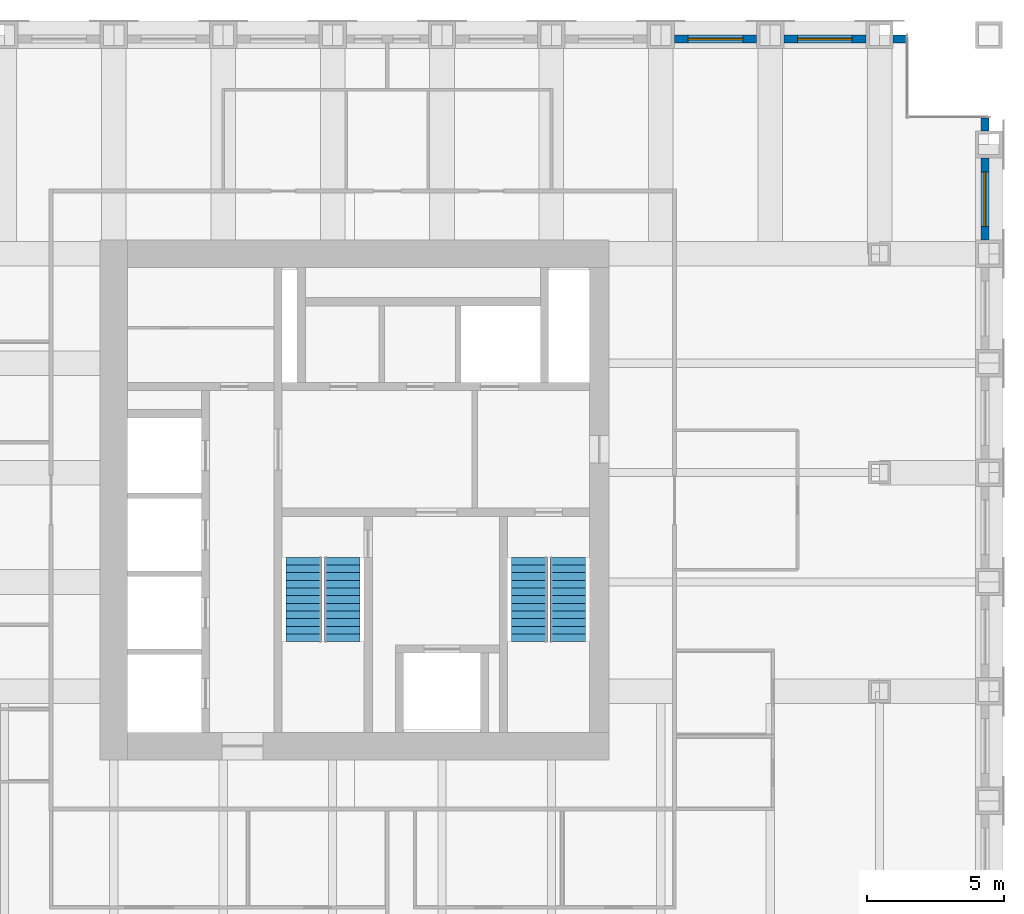
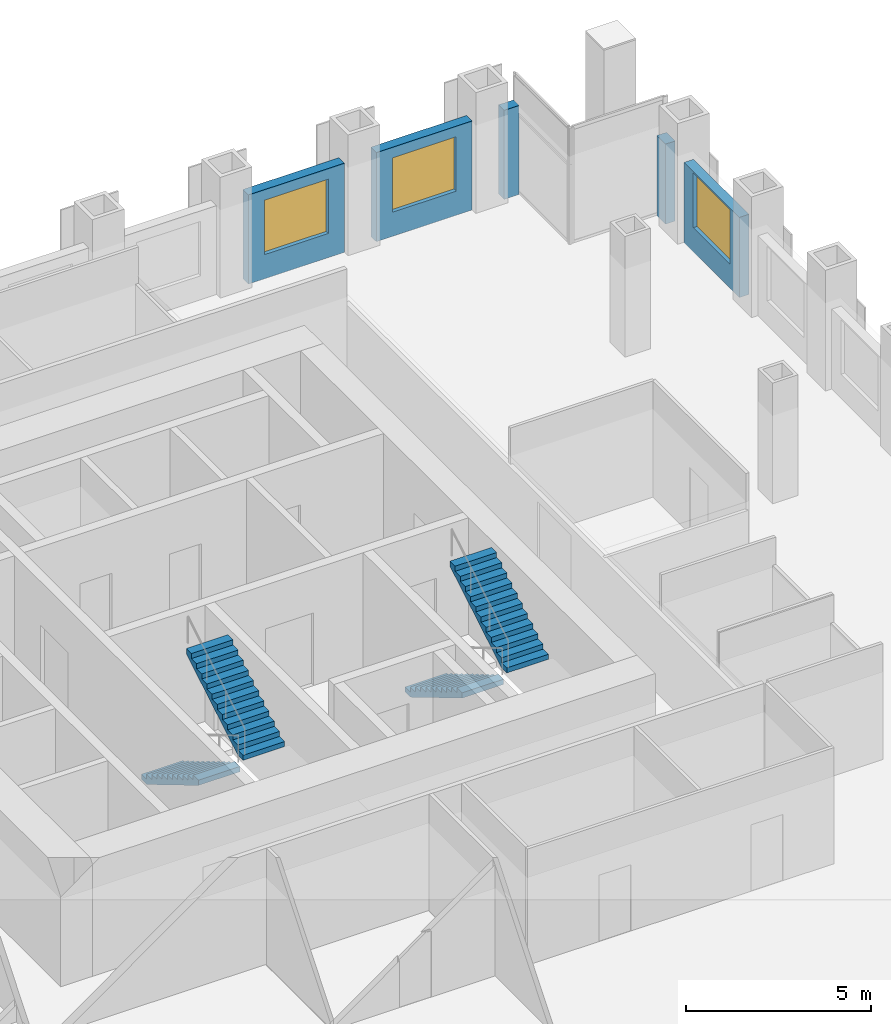
# One storey, part 11 of 12: 5 walls, 4 stair flights, 3 windows, 3 openings, 2 elements without a shape of their own.
"""IFC4 building model written with IfcOpenShell, lengths in metres."""

from ifc_helpers import new_model, si_unit, direction, frame, frame_2d, origin, place, context, subcontext, project, spatial, polyline, rectangle, outline, extrude, material, layer, layer_set, type_object, element, fill, aggregate, save


model = new_model("IFC4")

# Units and contexts
model_context = context("Model", 3, precision=1e-05, world=origin(), true_north=direction((0.0, 1.0)))
body_context = subcontext(model_context, "Body", "Model", "MODEL_VIEW")
ifc_project = project(units=[si_unit("LENGTHUNIT", "METRE"), si_unit("AREAUNIT", "SQUARE_METRE"), si_unit("VOLUMEUNIT", "CUBIC_METRE"), si_unit("PLANEANGLEUNIT", "RADIAN"), si_unit("MASSUNIT", "GRAM", prefix="KILO")], contexts=[model_context])

# Site, building, storey
site_placement = place(None, origin())
site = spatial("IfcSite", under=ifc_project, at=site_placement, CompositionType="ELEMENT")
building_placement = place(site_placement, origin())
building = spatial("IfcBuilding", under=site, at=building_placement, Name="Rimbunsela Tower", CompositionType="ELEMENT")
storey_placement = place(building_placement, frame((0.0, 0.0, 266.199951171875)))
storey = spatial("IfcBuildingStorey", under=building, at=storey_placement, Name="L64", CompositionType="ELEMENT", Elevation=266.199951171875)

# Wall, opening, window
ifc_material_1 = material(Name="Precast concrete fc' 35 MPa", Category="concrete")
ifc_layer = layer(ifc_material_1, 0.300048828125)
ifc_layer_set = layer_set([ifc_layer], Name="Precast concrete fc' 35 MPa")
wall_type = type_object("IfcWallType", Name="Precast facade panel 300", PredefinedType="ELEMENTEDWALL", material=ifc_layer_set)
wall_1_placement = place(storey_placement, frame((49.85009765625, 36.5, 0.0), z_axis=(0.0, 0.0, 1.0), x_axis=(0.0, 1.0, 0.0)))
wall_1 = element("IfcWall", 1, at=wall_1_placement, inside=storey, type_object=wall_type, Name="Facade panel E L64", PredefinedType="ELEMENTEDWALL", context=body_context, shape_type="SweptSolid", body=[
    extrude(rectangle(XDim=3.0, YDim=0.300048828125, at=frame_2d((1.5, 0.0))), origin(), (0.0, 0.0, 1.0), 2.650146484375),
])
opening_1_placement = place(wall_1_placement, frame((0.5, 0.0, 0.800048828125)))
opening_1 = element("IfcOpeningElement", 2, at=opening_1_placement, cuts=wall_1, Name="Opening W7", PredefinedType="OPENING", context=body_context, shape_type="SweptSolid", body=[
    extrude(rectangle(XDim=2.0, YDim=1.800048828125, at=frame_2d((1.0, 0.89990234375))), frame((0.0, 0.159912109375, 0.0), z_axis=(0.0, -1.0, 0.0), x_axis=(1.0, 0.0, 0.0)), (0.0, 0.0, 1.0), 0.320068359375),
])
ifc_material_2 = material(Name="Clear glass in aluminium frame", Category="aluminium")
window_type = type_object("IfcWindowType", Name="Window W7 2000x1800", PartitioningType="DOUBLE_PANEL_VERTICAL", PredefinedType="WINDOW", material=ifc_material_2)
window_1_placement = place(opening_1_placement, origin())
window_1 = element("IfcWindow", 3, at=window_1_placement, inside=storey, type_object=window_type, Name="Window L64", OverallHeight=1.800048828125, OverallWidth=2.0, PartitioningType="SINGLE_PANEL", PredefinedType="WINDOW", context=body_context, shape_type="SweptSolid", body=[
    extrude(rectangle(XDim=2.0, YDim=1.800048828125, at=frame_2d((1.0, 0.89990234375))), frame((0.0, 0.030029296875, 0.0), z_axis=(0.0, -1.0, 0.0), x_axis=(1.0, 0.0, 0.0)), (0.0, 0.0, 1.0), 0.06005859375),
])
fill(opening_1, window_1)

# Wall
wall_2_placement = place(storey_placement, frame((49.85009765625, 40.5, 0.0), z_axis=(0.0, 0.0, 1.0), x_axis=(0.0, 1.0, 0.0)))
element("IfcWall", 4, at=wall_2_placement, inside=storey, type_object=wall_type, Name="Facade panel E L64", PredefinedType="ELEMENTEDWALL", context=body_context, shape_type="SweptSolid", body=[
    extrude(rectangle(XDim=0.469970703125, YDim=0.300048828125, at=frame_2d((0.23486328125, 0.0))), origin(), (0.0, 0.0, 1.0), 2.650146484375),
])

# Wall, opening, window
wall_3_placement = place(storey_placement, frame((41.5, 43.85009765625, 0.0), z_axis=(0.0, 0.0, 1.0), x_axis=(-1.0, 0.0, 0.0)))
wall_3 = element("IfcWall", 5, at=wall_3_placement, inside=storey, type_object=wall_type, Name="Facade panel N L64", PredefinedType="ELEMENTEDWALL", context=body_context, shape_type="SweptSolid", body=[
    extrude(rectangle(XDim=3.0, YDim=0.300048828125, at=frame_2d((1.5, 0.0))), origin(), (0.0, 0.0, 1.0), 2.949951171875),
])
opening_2_placement = place(wall_3_placement, frame((0.5, 0.0, 0.800048828125)))
opening_2 = element("IfcOpeningElement", 6, at=opening_2_placement, cuts=wall_3, Name="Opening W7", PredefinedType="OPENING", context=body_context, shape_type="SweptSolid", body=[
    extrude(rectangle(XDim=2.0, YDim=1.800048828125, at=frame_2d((1.0, 0.89990234375))), frame((0.0, 0.159912109375, 0.0), z_axis=(0.0, -1.0, 0.0), x_axis=(1.0, 0.0, 0.0)), (0.0, 0.0, 1.0), 0.320068359375),
])
window_2_placement = place(opening_2_placement, origin())
window_2 = element("IfcWindow", 7, at=window_2_placement, inside=storey, type_object=window_type, Name="Window L64", OverallHeight=1.800048828125, OverallWidth=2.0, PartitioningType="SINGLE_PANEL", PredefinedType="WINDOW", context=body_context, shape_type="SweptSolid", body=[
    extrude(rectangle(XDim=2.0, YDim=1.800048828125, at=frame_2d((1.0, 0.89990234375))), frame((0.0, 0.030029296875, 0.0), z_axis=(0.0, -1.0, 0.0), x_axis=(1.0, 0.0, 0.0)), (0.0, 0.0, 1.0), 0.06005859375),
])
fill(opening_2, window_2)

wall_4_placement = place(storey_placement, frame((45.5, 43.85009765625, 0.0), z_axis=(0.0, 0.0, 1.0), x_axis=(-1.0, 0.0, 0.0)))
wall_4 = element("IfcWall", 8, at=wall_4_placement, inside=storey, type_object=wall_type, Name="Facade panel N L64", PredefinedType="ELEMENTEDWALL", context=body_context, shape_type="SweptSolid", body=[
    extrude(rectangle(XDim=3.0, YDim=0.300048828125, at=frame_2d((1.5, 0.0))), origin(), (0.0, 0.0, 1.0), 2.949951171875),
])
opening_3_placement = place(wall_4_placement, frame((0.5, 0.0, 0.800048828125)))
opening_3 = element("IfcOpeningElement", 9, at=opening_3_placement, cuts=wall_4, Name="Opening W7", PredefinedType="OPENING", context=body_context, shape_type="SweptSolid", body=[
    extrude(rectangle(XDim=2.0, YDim=1.800048828125, at=frame_2d((1.0, 0.89990234375))), frame((0.0, 0.159912109375, 0.0), z_axis=(0.0, -1.0, 0.0), x_axis=(1.0, 0.0, 0.0)), (0.0, 0.0, 1.0), 0.320068359375),
])
window_3_placement = place(opening_3_placement, origin())
window_3 = element("IfcWindow", 10, at=window_3_placement, inside=storey, type_object=window_type, Name="Window L64", OverallHeight=1.800048828125, OverallWidth=2.0, PartitioningType="SINGLE_PANEL", PredefinedType="WINDOW", context=body_context, shape_type="SweptSolid", body=[
    extrude(rectangle(XDim=2.0, YDim=1.800048828125, at=frame_2d((1.0, 0.89990234375))), frame((0.0, 0.030029296875, 0.0), z_axis=(0.0, -1.0, 0.0), x_axis=(1.0, 0.0, 0.0)), (0.0, 0.0, 1.0), 0.06005859375),
])
fill(opening_3, window_3)

# Wall
wall_5_placement = place(storey_placement, frame((46.969970703125, 43.85009765625, 0.0), z_axis=(0.0, 0.0, 1.0), x_axis=(-1.0, 0.0, 0.0)))
element("IfcWall", 11, at=wall_5_placement, inside=storey, type_object=wall_type, Name="Facade panel N L64", PredefinedType="ELEMENTEDWALL", context=body_context, shape_type="SweptSolid", body=[
    extrude(rectangle(XDim=0.469970703125, YDim=0.300048828125, at=frame_2d((0.23486328125, 0.0))), origin(), (0.0, 0.0, 1.0), 2.949951171875),
])

# Stair, stair flights
ifc_material_3 = material(Name="Concrete fc' 35 MPa", Category="concrete")
stair_type = type_object("IfcStairType", Name="Exit stair 24 risers", PredefinedType="HALF_TURN_STAIR", material=ifc_material_3)
stair_1_placement = place(storey_placement, origin())
stair_1 = element("IfcStair", 12, at=stair_1_placement, inside=storey, type_object=stair_type, Name="Exit stair A L64", PredefinedType="HALF_TURN_STAIR")
ifc_material_4 = material(Name="Concrete fc' 35 MPa", Category="concrete")
stair_flight_type = type_object("IfcStairFlightType", Name="Stair flight 12 risers 167", PredefinedType="STRAIGHT", material=ifc_material_4)
stair_flight_1_placement = place(storey_placement, frame((24.949951171875, 24.89990234375, 0.0), z_axis=(0.0, 0.0, 1.0), x_axis=(0.0, -1.0, 0.0)))
stair_flight_1 = element("IfcStairFlight", 13, at=stair_flight_1_placement, type_object=stair_flight_type, Name="ST-A flight 1", NumberOfRisers=12, NumberOfTreads=11, PredefinedType="STRAIGHT", RiserHeight=0.166666667, TreadLength=0.28, context=body_context, shape_type="SweptSolid", body=[
    extrude(outline(polyline([(0.0, 0.0), (0.0, 0.166748046875), (0.280029296875, 0.166748046875), (0.280029296875, 0.333251953125), (0.56005859375, 0.333251953125), (0.56005859375, 0.5), (0.840087890625, 0.5), (0.840087890625, 0.666748046875), (1.1201171875, 0.666748046875), (1.1201171875, 0.833251953125), (1.39990234375, 0.833251953125), (1.39990234375, 1.0), (1.679931640625, 1.0), (1.679931640625, 1.166748046875), (1.9599609375, 1.166748046875), (1.9599609375, 1.333251953125), (2.239990234375, 1.333251953125), (2.239990234375, 1.5), (2.52001953125, 1.5), (2.52001953125, 1.666748046875), (2.800048828125, 1.666748046875), (2.800048828125, 1.833251953125), (3.080078125, 1.833251953125), (3.080078125, 2.0), (3.080078125, 1.658935546875), (0.29296875, 0.0), (0.0, 0.0)])), frame((0.0, 0.64990234375, 0.0), z_axis=(0.0, -1.0, 0.0), x_axis=(1.0, 0.0, 0.0)), (0.0, 0.0, 1.0), 1.300048828125),
])
stair_flight_2_placement = place(storey_placement, frame((26.35009765625, 21.820068359375, 2.0), z_axis=(0.0, 0.0, 1.0), x_axis=(0.0, 1.0, 0.0)))
stair_flight_2 = element("IfcStairFlight", 14, at=stair_flight_2_placement, type_object=stair_flight_type, Name="ST-A flight 2", NumberOfRisers=12, NumberOfTreads=11, PredefinedType="STRAIGHT", RiserHeight=0.166666667, TreadLength=0.28, context=body_context, shape_type="SweptSolid", body=[
    extrude(outline(polyline([(0.0, 0.0), (0.0, 0.166748046875), (0.280029296875, 0.166748046875), (0.280029296875, 0.333251953125), (0.56005859375, 0.333251953125), (0.56005859375, 0.5), (0.840087890625, 0.5), (0.840087890625, 0.666748046875), (1.1201171875, 0.666748046875), (1.1201171875, 0.833251953125), (1.39990234375, 0.833251953125), (1.39990234375, 1.0), (1.679931640625, 1.0), (1.679931640625, 1.166748046875), (1.9599609375, 1.166748046875), (1.9599609375, 1.333251953125), (2.239990234375, 1.333251953125), (2.239990234375, 1.5), (2.52001953125, 1.5), (2.52001953125, 1.666748046875), (2.800048828125, 1.666748046875), (2.800048828125, 1.833251953125), (3.080078125, 1.833251953125), (3.080078125, 2.0), (3.080078125, 1.658935546875), (0.29296875, 0.0), (0.0, 0.0)])), frame((0.0, 0.64990234375, 0.0), z_axis=(0.0, -1.0, 0.0), x_axis=(1.0, 0.0, 0.0)), (0.0, 0.0, 1.0), 1.300048828125),
])
aggregate(stair_1, [stair_flight_1, stair_flight_2])

stair_2_placement = place(storey_placement, origin())
stair_2 = element("IfcStair", 15, at=stair_2_placement, inside=storey, type_object=stair_type, Name="Exit stair B L64", PredefinedType="HALF_TURN_STAIR")
stair_flight_3_placement = place(storey_placement, frame((33.199951171875, 24.89990234375, 0.0), z_axis=(0.0, 0.0, 1.0), x_axis=(0.0, -1.0, 0.0)))
stair_flight_3 = element("IfcStairFlight", 16, at=stair_flight_3_placement, type_object=stair_flight_type, Name="ST-B flight 1", NumberOfRisers=12, NumberOfTreads=11, PredefinedType="STRAIGHT", RiserHeight=0.166666667, TreadLength=0.28, context=body_context, shape_type="SweptSolid", body=[
    extrude(outline(polyline([(0.0, 0.0), (0.0, 0.166748046875), (0.280029296875, 0.166748046875), (0.280029296875, 0.333251953125), (0.56005859375, 0.333251953125), (0.56005859375, 0.5), (0.840087890625, 0.5), (0.840087890625, 0.666748046875), (1.1201171875, 0.666748046875), (1.1201171875, 0.833251953125), (1.39990234375, 0.833251953125), (1.39990234375, 1.0), (1.679931640625, 1.0), (1.679931640625, 1.166748046875), (1.9599609375, 1.166748046875), (1.9599609375, 1.333251953125), (2.239990234375, 1.333251953125), (2.239990234375, 1.5), (2.52001953125, 1.5), (2.52001953125, 1.666748046875), (2.800048828125, 1.666748046875), (2.800048828125, 1.833251953125), (3.080078125, 1.833251953125), (3.080078125, 2.0), (3.080078125, 1.658935546875), (0.29296875, 0.0), (0.0, 0.0)])), frame((0.0, 0.64990234375, 0.0), z_axis=(0.0, -1.0, 0.0), x_axis=(1.0, 0.0, 0.0)), (0.0, 0.0, 1.0), 1.300048828125),
])
stair_flight_4_placement = place(storey_placement, frame((34.60009765625, 21.820068359375, 2.0), z_axis=(0.0, 0.0, 1.0), x_axis=(0.0, 1.0, 0.0)))
stair_flight_4 = element("IfcStairFlight", 17, at=stair_flight_4_placement, type_object=stair_flight_type, Name="ST-B flight 2", NumberOfRisers=12, NumberOfTreads=11, PredefinedType="STRAIGHT", RiserHeight=0.166666667, TreadLength=0.28, context=body_context, shape_type="SweptSolid", body=[
    extrude(outline(polyline([(0.0, 0.0), (0.0, 0.166748046875), (0.280029296875, 0.166748046875), (0.280029296875, 0.333251953125), (0.56005859375, 0.333251953125), (0.56005859375, 0.5), (0.840087890625, 0.5), (0.840087890625, 0.666748046875), (1.1201171875, 0.666748046875), (1.1201171875, 0.833251953125), (1.39990234375, 0.833251953125), (1.39990234375, 1.0), (1.679931640625, 1.0), (1.679931640625, 1.166748046875), (1.9599609375, 1.166748046875), (1.9599609375, 1.333251953125), (2.239990234375, 1.333251953125), (2.239990234375, 1.5), (2.52001953125, 1.5), (2.52001953125, 1.666748046875), (2.800048828125, 1.666748046875), (2.800048828125, 1.833251953125), (3.080078125, 1.833251953125), (3.080078125, 2.0), (3.080078125, 1.658935546875), (0.29296875, 0.0), (0.0, 0.0)])), frame((0.0, 0.64990234375, 0.0), z_axis=(0.0, -1.0, 0.0), x_axis=(1.0, 0.0, 0.0)), (0.0, 0.0, 1.0), 1.300048828125),
])
aggregate(stair_2, [stair_flight_3, stair_flight_4])

save(model, "model.ifc")
